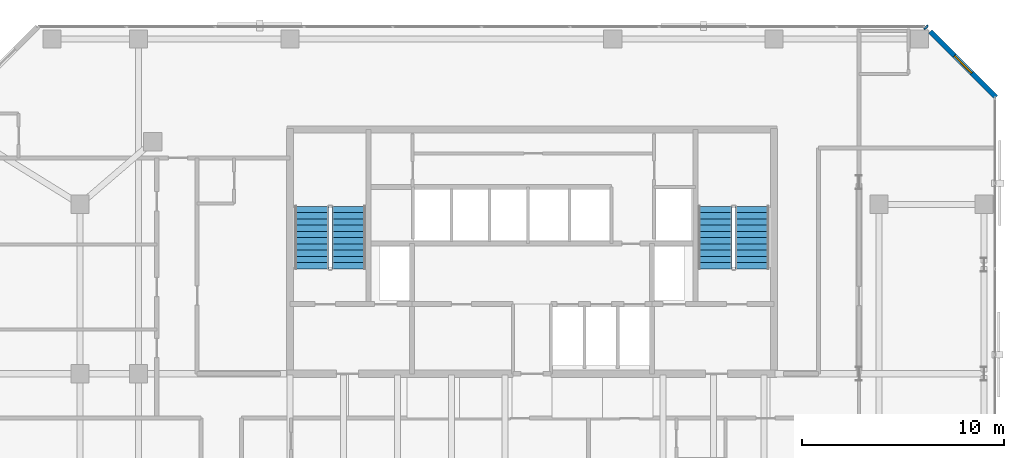
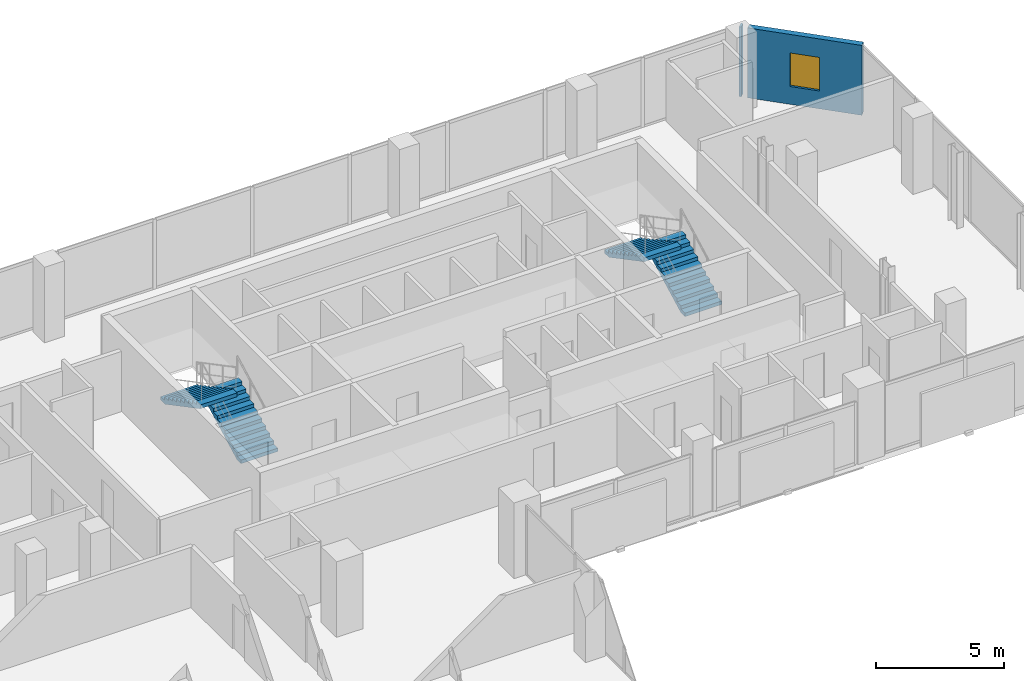
# One storey, part 31 of 34: 4 stair flights, 2 walls, 1 window, 1 opening, 2 elements without a shape of their own.
"""IFC4 building model written with IfcOpenShell, lengths in metres."""

from ifc_helpers import new_model, si_unit, direction, frame, frame_2d, origin, place, context, subcontext, project, spatial, polyline, rectangle, outline, extrude, material, layer, layer_set, type_object, element, fill, aggregate, save


model = new_model("IFC4")

# Units and contexts
model_context = context("Model", 3, precision=1e-05, world=origin(), true_north=direction((0.0, 1.0)))
body_context = subcontext(model_context, "Body", "Model", "MODEL_VIEW")
ifc_project = project(units=[si_unit("LENGTHUNIT", "METRE"), si_unit("AREAUNIT", "SQUARE_METRE"), si_unit("VOLUMEUNIT", "CUBIC_METRE"), si_unit("PLANEANGLEUNIT", "RADIAN"), si_unit("MASSUNIT", "GRAM", prefix="KILO")], contexts=[model_context])

# Site, building, storey
site_placement = place(None, origin())
site = spatial("IfcSite", under=ifc_project, at=site_placement, CompositionType="ELEMENT")
building_placement = place(site_placement, origin())
building = spatial("IfcBuilding", under=site, at=building_placement, Name="Catumbela Crestline Tower", CompositionType="ELEMENT")
storey_placement = place(building_placement, frame((0.0, 0.0, 111.6)))
storey = spatial("IfcBuildingStorey", under=building, at=storey_placement, Name="L28", CompositionType="ELEMENT", Elevation=111.6)

# Wall, opening, window
ifc_material_1 = material(Name="Angolan grey-ochre granite", Category="masonry")
ifc_layer = layer(ifc_material_1, 0.25, Name="Angolan grey-ochre granite")
ifc_layer_set = layer_set([ifc_layer], Name="Angolan grey-ochre granite")
wall_type = type_object("IfcWallType", Name="WE-250", PredefinedType="STANDARD", material=ifc_layer_set)
wall_1_placement = place(storey_placement, frame((51.0, 44.5, 0.0), z_axis=(0.0, 0.0, 1.0), x_axis=(-0.707106781187, 0.707106781187, 0.0)))
wall_1 = element("IfcWall", 1, at=wall_1_placement, inside=storey, type_object=wall_type, Name="L28 Granite Punched Window Wall 6-1", PredefinedType="STANDARD", context=body_context, shape_type="SweptSolid", body=[
    extrude(rectangle(XDim=4.6126, YDim=0.25, at=frame_2d((2.3063, 0.0))), origin(), (0.0, 0.0, 1.0), 3.33),
])
opening_placement = place(wall_1_placement, frame((1.7063, 0.0, 0.85)))
opening = element("IfcOpeningElement", 2, at=opening_placement, cuts=wall_1, Name="Opening WN-02", PredefinedType="OPENING", context=body_context, shape_type="SweptSolid", body=[
    extrude(rectangle(XDim=1.2, YDim=1.6, at=frame_2d((0.6, 0.8))), frame((0.0, 0.135, 0.0), z_axis=(0.0, -1.0, 0.0), x_axis=(1.0, 0.0, 0.0)), (0.0, 0.0, 1.0), 0.27),
])
ifc_material_2 = material(Name="Low-E laminated solar-control double glazing", Category="glass")
window_type = type_object("IfcWindowType", Name="WO-1200", PartitioningType="SINGLE_PANEL", PredefinedType="WINDOW", material=ifc_material_2)
window_placement = place(opening_placement, origin())
window = element("IfcWindow", 3, at=window_placement, inside=storey, type_object=window_type, Name="L28 Facade Vision Window 162", OverallHeight=1.6, OverallWidth=1.2, PartitioningType="SINGLE_PANEL", PredefinedType="WINDOW", context=body_context, shape_type="SweptSolid", body=[
    extrude(rectangle(XDim=1.2, YDim=1.6, at=frame_2d((0.6, 0.8))), frame((0.0, 0.03, 0.0), z_axis=(0.0, -1.0, 0.0), x_axis=(1.0, 0.0, 0.0)), (0.0, 0.0, 1.0), 0.06),
])
fill(opening, window)

# Wall
wall_2_placement = place(storey_placement, frame((47.5616, 47.9384, 0.0), z_axis=(0.0, 0.0, 1.0), x_axis=(-0.707106781187, 0.707106781187, 0.0)))
element("IfcWall", 4, at=wall_2_placement, inside=storey, type_object=wall_type, Name="L28 Granite Punched Window Wall 6-2", PredefinedType="STANDARD", context=body_context, shape_type="SweptSolid", body=[
    extrude(rectangle(XDim=0.0871, YDim=0.25, at=frame_2d((0.0436, 0.0))), origin(), (0.0, 0.0, 1.0), 3.33),
])

# Stair, stair flights
ifc_material_3 = material(Name="Concrete C45/55", Category="concrete")
stair_type = type_object("IfcStairType", Name="ST-DLG", PredefinedType="HALF_TURN_STAIR", material=ifc_material_3)
stair_1_placement = place(storey_placement, origin())
stair_1 = element("IfcStair", 5, at=stair_1_placement, inside=storey, type_object=stair_type, Name="L28 West Core Pressurised Exit Stair ST-01", PredefinedType="HALF_TURN_STAIR")
stair_flight_type = type_object("IfcStairFlightType", Name="SF-1636", PredefinedType="STRAIGHT", material=ifc_material_3)
stair_flight_1_placement = place(storey_placement, frame((18.92, 36.0, 0.0), z_axis=(0.0, 0.0, 1.0), x_axis=(0.0, 1.0, 0.0)))
stair_flight_1 = element("IfcStairFlight", 6, at=stair_flight_1_placement, type_object=stair_flight_type, Name="ST-01 flight 1", NumberOfRisers=11, NumberOfTreads=10, PredefinedType="STRAIGHT", RiserHeight=0.163636364, TreadLength=0.31, context=body_context, shape_type="SweptSolid", body=[
    extrude(outline(polyline([(0.0, 0.0), (0.0, 0.1636), (0.31, 0.1636), (0.31, 0.3273), (0.62, 0.3273), (0.62, 0.4909), (0.93, 0.4909), (0.93, 0.6545), (1.24, 0.6545), (1.24, 0.8182), (1.55, 0.8182), (1.55, 0.9818), (1.86, 0.9818), (1.86, 1.1455), (2.17, 1.1455), (2.17, 1.3091), (2.48, 1.3091), (2.48, 1.4727), (2.79, 1.4727), (2.79, 1.6364), (3.1, 1.6364), (3.1, 1.8), (3.1, 1.4554), (0.3427, 0.0), (0.0, 0.0)])), frame((0.0, 0.83, 0.0), z_axis=(0.0, -1.0, 0.0), x_axis=(1.0, 0.0, 0.0)), (0.0, 0.0, 1.0), 1.66),
])
stair_flight_2_placement = place(storey_placement, frame((17.08, 39.1, 1.8), z_axis=(0.0, 0.0, 1.0), x_axis=(0.0, -1.0, 0.0)))
stair_flight_2 = element("IfcStairFlight", 7, at=stair_flight_2_placement, type_object=stair_flight_type, Name="ST-01 flight 2", NumberOfRisers=11, NumberOfTreads=10, PredefinedType="STRAIGHT", RiserHeight=0.163636364, TreadLength=0.31, context=body_context, shape_type="SweptSolid", body=[
    extrude(outline(polyline([(0.0, 0.0), (0.0, 0.1636), (0.31, 0.1636), (0.31, 0.3273), (0.62, 0.3273), (0.62, 0.4909), (0.93, 0.4909), (0.93, 0.6545), (1.24, 0.6545), (1.24, 0.8182), (1.55, 0.8182), (1.55, 0.9818), (1.86, 0.9818), (1.86, 1.1455), (2.17, 1.1455), (2.17, 1.3091), (2.48, 1.3091), (2.48, 1.4727), (2.79, 1.4727), (2.79, 1.6364), (3.1, 1.6364), (3.1, 1.8), (3.1, 1.4554), (0.3427, 0.0), (0.0, 0.0)])), frame((0.0, 0.83, 0.0), z_axis=(0.0, -1.0, 0.0), x_axis=(1.0, 0.0, 0.0)), (0.0, 0.0, 1.0), 1.66),
])
aggregate(stair_1, [stair_flight_1, stair_flight_2])

stair_2_placement = place(storey_placement, origin())
stair_2 = element("IfcStair", 8, at=stair_2_placement, inside=storey, type_object=stair_type, Name="L28 East Core Pressurised Exit Stair ST-02", PredefinedType="HALF_TURN_STAIR")
stair_flight_3_placement = place(storey_placement, frame((38.92, 36.0, 0.0), z_axis=(0.0, 0.0, 1.0), x_axis=(0.0, 1.0, 0.0)))
stair_flight_3 = element("IfcStairFlight", 9, at=stair_flight_3_placement, type_object=stair_flight_type, Name="ST-02 flight 1", NumberOfRisers=11, NumberOfTreads=10, PredefinedType="STRAIGHT", RiserHeight=0.163636364, TreadLength=0.31, context=body_context, shape_type="SweptSolid", body=[
    extrude(outline(polyline([(0.0, 0.0), (0.0, 0.1636), (0.31, 0.1636), (0.31, 0.3273), (0.62, 0.3273), (0.62, 0.4909), (0.93, 0.4909), (0.93, 0.6545), (1.24, 0.6545), (1.24, 0.8182), (1.55, 0.8182), (1.55, 0.9818), (1.86, 0.9818), (1.86, 1.1455), (2.17, 1.1455), (2.17, 1.3091), (2.48, 1.3091), (2.48, 1.4727), (2.79, 1.4727), (2.79, 1.6364), (3.1, 1.6364), (3.1, 1.8), (3.1, 1.4554), (0.3427, 0.0), (0.0, 0.0)])), frame((0.0, 0.83, 0.0), z_axis=(0.0, -1.0, 0.0), x_axis=(1.0, 0.0, 0.0)), (0.0, 0.0, 1.0), 1.66),
])
stair_flight_4_placement = place(storey_placement, frame((37.08, 39.1, 1.8), z_axis=(0.0, 0.0, 1.0), x_axis=(0.0, -1.0, 0.0)))
stair_flight_4 = element("IfcStairFlight", 10, at=stair_flight_4_placement, type_object=stair_flight_type, Name="ST-02 flight 2", NumberOfRisers=11, NumberOfTreads=10, PredefinedType="STRAIGHT", RiserHeight=0.163636364, TreadLength=0.31, context=body_context, shape_type="SweptSolid", body=[
    extrude(outline(polyline([(0.0, 0.0), (0.0, 0.1636), (0.31, 0.1636), (0.31, 0.3273), (0.62, 0.3273), (0.62, 0.4909), (0.93, 0.4909), (0.93, 0.6545), (1.24, 0.6545), (1.24, 0.8182), (1.55, 0.8182), (1.55, 0.9818), (1.86, 0.9818), (1.86, 1.1455), (2.17, 1.1455), (2.17, 1.3091), (2.48, 1.3091), (2.48, 1.4727), (2.79, 1.4727), (2.79, 1.6364), (3.1, 1.6364), (3.1, 1.8), (3.1, 1.4554), (0.3427, 0.0), (0.0, 0.0)])), frame((0.0, 0.83, 0.0), z_axis=(0.0, -1.0, 0.0), x_axis=(1.0, 0.0, 0.0)), (0.0, 0.0, 1.0), 1.66),
])
aggregate(stair_2, [stair_flight_3, stair_flight_4])

save(model, "model.ifc")
